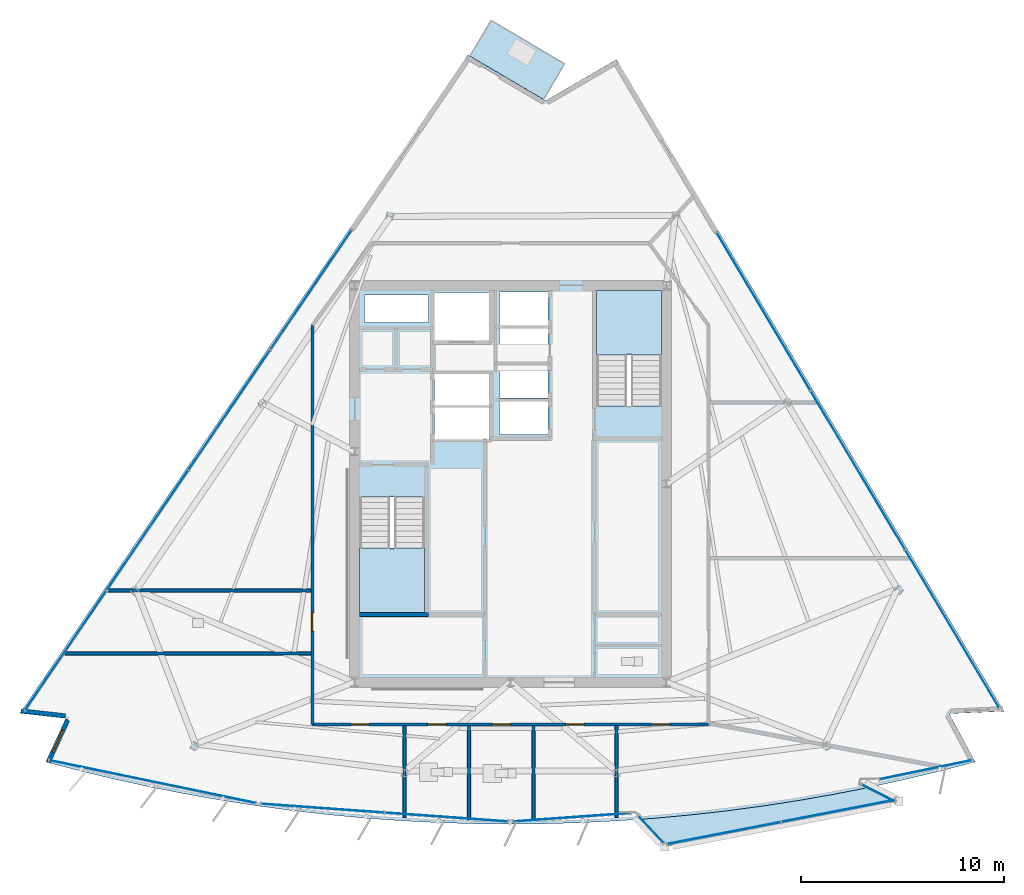
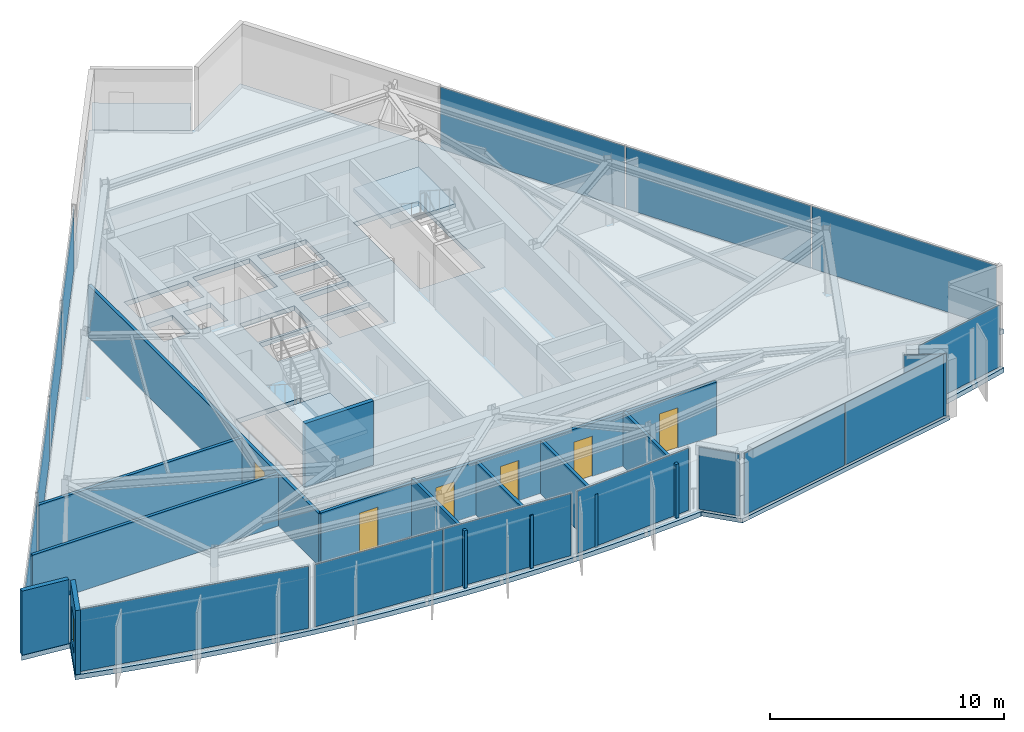
# One storey, part 6 of 13: 16 plates, 11 walls, 6 doors, 5 slabs, 1 window, 7 openings, 11 elements without a shape of their own.
"""IFC4 building model written with IfcOpenShell, lengths in metres."""

from ifc_helpers import new_model, si_unit, direction, frame, frame_2d, origin, origin_2d, place, context, subcontext, project, spatial, polyline, rectangle, outline, extrude, material, layer, layer_set, type_object, element, fill, aggregate, save


model = new_model("IFC4")

# Units and contexts
model_context = context("Model", 3, precision=1e-05, world=origin(), true_north=direction((0.0, 1.0)))
body_context = subcontext(model_context, "Body", "Model", "MODEL_VIEW")
ifc_project = project(units=[si_unit("LENGTHUNIT", "METRE"), si_unit("AREAUNIT", "SQUARE_METRE"), si_unit("VOLUMEUNIT", "CUBIC_METRE"), si_unit("PLANEANGLEUNIT", "RADIAN"), si_unit("MASSUNIT", "GRAM", prefix="KILO")], contexts=[model_context])

# Site, building, storey
site_placement = place(None, origin())
site = spatial("IfcSite", under=ifc_project, at=site_placement, CompositionType="ELEMENT")
building_placement = place(site_placement, origin())
building = spatial("IfcBuilding", under=site, at=building_placement, Name="Savorim Split Tower", CompositionType="ELEMENT")
storey_placement = place(building_placement, frame((0.0, 0.0, 265.199951171875)))
storey = spatial("IfcBuildingStorey", under=building, at=storey_placement, Name="L70", CompositionType="ELEMENT", Elevation=265.199951171875)

# Curtain wall, plate
ifc_material_1 = material(Name="Dark Ceramic-Fritted Insulated Glass", Category="glass")
curtain_wall_type_1 = type_object("IfcCurtainWallType", Name="CW-TWR-FRIT-B", PredefinedType="NOTDEFINED", material=ifc_material_1)
curtain_wall_1_placement = place(storey_placement, origin())
curtain_wall_1 = element("IfcCurtainWall", 1, at=curtain_wall_1_placement, inside=storey, type_object=curtain_wall_type_1, Name="L70 Curtain Wall CW-L70-SF1A", PredefinedType="NOTDEFINED")
ifc_layer_1 = layer(ifc_material_1, 0.02587890625)
ifc_layer_set_1 = layer_set([ifc_layer_1], Name="CWP-FRITB-26")
plate_type_1 = type_object("IfcPlateType", Name="CWP-FRITB-26", PredefinedType="CURTAIN_PANEL", material=ifc_layer_set_1)
plate_1_placement = place(storey_placement, frame((-17.679443359375, -14.303466796875, 0.050048828125), z_axis=(0.0, 0.0, 1.0), x_axis=(0.979135123364, -0.20321026105, 0.0)))
plate_1 = element("IfcPlate", 2, at=plate_1_placement, type_object=plate_type_1, Name="CW-03 panel 1.1", PredefinedType="CURTAIN_PANEL", context=body_context, shape_type="SweptSolid", body=[
    extrude(rectangle(XDim=10.390380859375, YDim=0.02587890625, at=origin_2d()), origin(), (0.0, 0.0, 1.0), 3.25),
])
aggregate(curtain_wall_1, [plate_1])

# Curtain wall, plates
curtain_wall_2_placement = place(storey_placement, origin())
curtain_wall_2 = element("IfcCurtainWall", 3, at=curtain_wall_2_placement, inside=storey, type_object=curtain_wall_type_1, Name="L70 Curtain Wall CW-L70-SF2A", PredefinedType="NOTDEFINED")
plate_2_placement = place(storey_placement, frame((-9.27197265625, -15.61767578125, 0.050048828125), z_axis=(0.0, 0.0, 1.0), x_axis=(0.997435978432, -0.071564439004, 0.0)))
plate_2 = element("IfcPlate", 4, at=plate_2_placement, type_object=plate_type_1, Name="CW-03 panel 1.1", PredefinedType="CURTAIN_PANEL", context=body_context, shape_type="SweptSolid", body=[
    extrude(rectangle(XDim=6.05615234375, YDim=0.02587890625, at=origin_2d()), origin(), (0.0, 0.0, 1.0), 3.25),
])
plate_3_placement = place(storey_placement, frame((-3.17138671875, -16.055419921875, 0.050048828125), z_axis=(0.0, 0.0, 1.0), x_axis=(0.997435978432, -0.071564439004, 0.0)))
plate_3 = element("IfcPlate", 5, at=plate_3_placement, type_object=plate_type_1, Name="CW-03 panel 2.1", PredefinedType="CURTAIN_PANEL", context=body_context, shape_type="SweptSolid", body=[
    extrude(rectangle(XDim=6.05615234375, YDim=0.02587890625, at=origin_2d()), origin(), (0.0, 0.0, 1.0), 3.25),
])
aggregate(curtain_wall_2, [plate_2, plate_3])

# Curtain wall, plate
curtain_wall_3_placement = place(storey_placement, origin())
curtain_wall_3 = element("IfcCurtainWall", 6, at=curtain_wall_3_placement, inside=storey, type_object=curtain_wall_type_1, Name="L70 Curtain Wall CW-L70-SF3A", PredefinedType="NOTDEFINED")
plate_4_placement = place(storey_placement, frame((3.019287109375, -16.06640625, 0.050048828125), z_axis=(0.0, 0.0, 1.0), x_axis=(0.997435475677, 0.071571445854, 0.0)))
plate_4 = element("IfcPlate", 7, at=plate_4_placement, type_object=plate_type_1, Name="CW-03 panel 1.1", PredefinedType="CURTAIN_PANEL", context=body_context, shape_type="SweptSolid", body=[
    extrude(rectangle(XDim=5.7509765625, YDim=0.02587890625, at=origin_2d()), origin(), (0.0, 0.0, 1.0), 3.25),
])
aggregate(curtain_wall_3, [plate_4])

curtain_wall_4_placement = place(storey_placement, origin())
curtain_wall_4 = element("IfcCurtainWall", 8, at=curtain_wall_4_placement, inside=storey, type_object=curtain_wall_type_1, Name="L70 Curtain Wall CW-L70-SF4A", PredefinedType="NOTDEFINED")
plate_5_placement = place(storey_placement, frame((20.5029296875, -13.717529296875, 0.050048828125), z_axis=(0.0, 0.0, 1.0), x_axis=(0.979135895435, 0.203206540915, 0.0)))
plate_5 = element("IfcPlate", 9, at=plate_5_placement, type_object=plate_type_1, Name="CW-03 panel 1.1", PredefinedType="CURTAIN_PANEL", context=body_context, shape_type="SweptSolid", body=[
    extrude(rectangle(XDim=4.623046875, YDim=0.02587890625, at=origin_2d()), origin(), (0.0, 0.0, 1.0), 3.25),
])
aggregate(curtain_wall_4, [plate_5])

# Curtain wall, plates
curtain_wall_5_placement = place(storey_placement, origin())
curtain_wall_5 = element("IfcCurtainWall", 10, at=curtain_wall_5_placement, inside=storey, type_object=curtain_wall_type_1, Name="L70 Curtain Wall CW-L70-EAST", PredefinedType="NOTDEFINED")
plate_6_placement = place(storey_placement, frame((21.8134765625, -6.76904296875, 0.050048828125), z_axis=(0.0, 0.0, 1.0), x_axis=(-0.511090267573, 0.859527043432, 0.0)))
plate_6 = element("IfcPlate", 11, at=plate_6_placement, type_object=plate_type_1, Name="CW-03 panel 1.1", PredefinedType="CURTAIN_PANEL", context=body_context, shape_type="SweptSolid", body=[
    extrude(rectangle(XDim=9.0380859375, YDim=0.02587890625, at=origin_2d()), origin(), (0.0, 0.0, 1.0), 3.25),
])
plate_7_placement = place(storey_placement, frame((17.15576171875, 1.064208984375, 0.050048828125), z_axis=(0.0, 0.0, 1.0), x_axis=(-0.511090267573, 0.859527043432, 0.0)))
plate_7 = element("IfcPlate", 12, at=plate_7_placement, type_object=plate_type_1, Name="CW-03 panel 2.1", PredefinedType="CURTAIN_PANEL", context=body_context, shape_type="SweptSolid", body=[
    extrude(rectangle(XDim=9.068115234375, YDim=0.02587890625, at=origin_2d()), origin(), (0.0, 0.0, 1.0), 3.25),
])
plate_8_placement = place(storey_placement, frame((12.498046875, 8.897216796875, 0.050048828125), z_axis=(0.0, 0.0, 1.0), x_axis=(-0.511090267573, 0.859527043432, 0.0)))
plate_8 = element("IfcPlate", 13, at=plate_8_placement, type_object=plate_type_1, Name="CW-03 panel 3.1", PredefinedType="CURTAIN_PANEL", context=body_context, shape_type="SweptSolid", body=[
    extrude(rectangle(XDim=9.0380859375, YDim=0.02587890625, at=origin_2d()), origin(), (0.0, 0.0, 1.0), 3.25),
])
aggregate(curtain_wall_5, [plate_6, plate_7, plate_8])

curtain_wall_6_placement = place(storey_placement, origin())
curtain_wall_6 = element("IfcCurtainWall", 14, at=curtain_wall_6_placement, inside=storey, type_object=curtain_wall_type_1, Name="L70 Curtain Wall CW-L70-WEST", PredefinedType="NOTDEFINED")
plate_9_placement = place(storey_placement, frame((-9.847900390625, 9.9853515625, 0.050048828125), z_axis=(0.0, 0.0, 1.0), x_axis=(-0.562470325215, -0.826817472755, 0.0)))
plate_9 = element("IfcPlate", 15, at=plate_9_placement, type_object=plate_type_1, Name="CW-03 panel 1.1", PredefinedType="CURTAIN_PANEL", context=body_context, shape_type="SweptSolid", body=[
    extrude(rectangle(XDim=7.1015625, YDim=0.02587890625, at=origin_2d()), origin(), (0.0, 0.0, 1.0), 3.25),
])
plate_10_placement = place(storey_placement, frame((-13.884521484375, 4.0517578125, 0.050048828125), z_axis=(0.0, 0.0, 1.0), x_axis=(-0.562470325215, -0.826817472755, 0.0)))
plate_10 = element("IfcPlate", 16, at=plate_10_placement, type_object=plate_type_1, Name="CW-03 panel 2.1", PredefinedType="CURTAIN_PANEL", context=body_context, shape_type="SweptSolid", body=[
    extrude(rectangle(XDim=7.131591796875, YDim=0.02587890625, at=origin_2d()), origin(), (0.0, 0.0, 1.0), 3.25),
])
plate_11_placement = place(storey_placement, frame((-17.929443359375, -1.894287109375, 0.050048828125), z_axis=(0.0, 0.0, 1.0), x_axis=(-0.562470325215, -0.826817472755, 0.0)))
plate_11 = element("IfcPlate", 17, at=plate_11_placement, type_object=plate_type_1, Name="CW-03 panel 3.1", PredefinedType="CURTAIN_PANEL", context=body_context, shape_type="SweptSolid", body=[
    extrude(rectangle(XDim=7.131591796875, YDim=0.02587890625, at=origin_2d()), origin(), (0.0, 0.0, 1.0), 3.25),
])
plate_12_placement = place(storey_placement, frame((-21.966064453125, -7.827880859375, 0.050048828125), z_axis=(0.0, 0.0, 1.0), x_axis=(-0.562470325215, -0.826817472755, 0.0)))
plate_12 = element("IfcPlate", 18, at=plate_12_placement, type_object=plate_type_1, Name="CW-03 panel 4.1", PredefinedType="CURTAIN_PANEL", context=body_context, shape_type="SweptSolid", body=[
    extrude(rectangle(XDim=7.1015625, YDim=0.02587890625, at=origin_2d()), origin(), (0.0, 0.0, 1.0), 3.25),
])
aggregate(curtain_wall_6, [plate_9, plate_10, plate_11, plate_12])

curtain_wall_type_2 = type_object("IfcCurtainWallType", Name="CW-BAY-LOUNGE", PredefinedType="NOTDEFINED", material=ifc_material_1)
curtain_wall_7_placement = place(storey_placement, origin())
curtain_wall_7 = element("IfcCurtainWall", 19, at=curtain_wall_7_placement, inside=storey, type_object=curtain_wall_type_2, Name="L70 Curtain Wall CW-L70-BAYF", PredefinedType="NOTDEFINED")
ifc_material_2 = material(Name="Low-E Operable Double Glazing", Category="glass")
ifc_layer_2 = layer(ifc_material_2, 0.031982421875)
ifc_layer_set_2 = layer_set([ifc_layer_2], Name="CWP-POD-32")
plate_type_2 = type_object("IfcPlateType", Name="CWP-POD-32", PredefinedType="CURTAIN_PANEL", material=ifc_layer_set_2)
plate_13_placement = place(storey_placement, frame((10.5537109375, -16.84375, 0.05517578125), z_axis=(0.0, 0.0, 1.0), x_axis=(0.98168331682, 0.190519987082, 0.0)))
plate_13 = element("IfcPlate", 20, at=plate_13_placement, type_object=plate_type_2, Name="CW-04 panel 1.1", PredefinedType="CURTAIN_PANEL", context=body_context, shape_type="SweptSolid", body=[
    extrude(rectangle(XDim=5.67041015625, YDim=0.031982421875, at=origin_2d()), origin(), (0.0, 0.0, 1.0), 3.239990234375),
])
plate_14_placement = place(storey_placement, frame((16.18408203125, -15.7509765625, 0.05517578125), z_axis=(0.0, 0.0, 1.0), x_axis=(0.98168331682, 0.190519987082, 0.0)))
plate_14 = element("IfcPlate", 21, at=plate_14_placement, type_object=plate_type_2, Name="CW-04 panel 2.1", PredefinedType="CURTAIN_PANEL", context=body_context, shape_type="SweptSolid", body=[
    extrude(rectangle(XDim=5.67041015625, YDim=0.031982421875, at=origin_2d()), origin(), (0.0, 0.0, 1.0), 3.239990234375),
])
aggregate(curtain_wall_7, [plate_13, plate_14])

# Curtain wall, plate
curtain_wall_8_placement = place(storey_placement, origin())
curtain_wall_8 = element("IfcCurtainWall", 22, at=curtain_wall_8_placement, inside=storey, type_object=curtain_wall_type_2, Name="L70 Curtain Wall CW-L70-BAYW", PredefinedType="NOTDEFINED")
plate_15_placement = place(storey_placement, frame((6.948974609375, -16.668212890625, 0.05517578125), z_axis=(0.0, 0.0, 1.0), x_axis=(0.6838502497, -0.729622392738, 0.0)))
plate_15 = element("IfcPlate", 23, at=plate_15_placement, type_object=plate_type_2, Name="CW-04 panel 1.1", PredefinedType="CURTAIN_PANEL", context=body_context, shape_type="SweptSolid", body=[
    extrude(rectangle(XDim=1.81005859375, YDim=0.031982421875, at=origin_2d()), origin(), (0.0, 0.0, 1.0), 3.239990234375),
])
aggregate(curtain_wall_8, [plate_15])

curtain_wall_9_placement = place(storey_placement, origin())
curtain_wall_9 = element("IfcCurtainWall", 24, at=curtain_wall_9_placement, inside=storey, type_object=curtain_wall_type_2, Name="L70 Curtain Wall CW-L70-BAYE", PredefinedType="NOTDEFINED")
plate_16_placement = place(storey_placement, frame((18.170166015625, -14.875, 0.05517578125), z_axis=(0.0, 0.0, 1.0), x_axis=(-0.890065809413, 0.455832046827, 0.0)))
plate_16 = element("IfcPlate", 25, at=plate_16_placement, type_object=plate_type_2, Name="CW-04 panel 1.1", PredefinedType="CURTAIN_PANEL", context=body_context, shape_type="SweptSolid", body=[
    extrude(rectangle(XDim=1.81005859375, YDim=0.031982421875, at=origin_2d()), origin(), (0.0, 0.0, 1.0), 3.239990234375),
])
aggregate(curtain_wall_9, [plate_16])

# Slabs
ifc_material_3 = material(Name="Concrete C50/60", Category="concrete")
ifc_layer_3 = layer(ifc_material_3, 0.219970703125)
ifc_layer_set_3 = layer_set([ifc_layer_3], Name="SLB-BAL-220")
slab_type_1 = type_object("IfcSlabType", Name="SLB-BAL-220", PredefinedType="FLOOR", material=ifc_layer_set_3)
slab_1_placement = place(storey_placement, frame((0.0, 0.0, -0.219970703125)))
element("IfcSlab", 26, at=slab_1_placement, inside=storey, type_object=slab_type_1, Name="L70 Cantilevered Shared Kitchen Lounge Slab", PredefinedType="FLOOR", context=body_context, shape_type="SweptSolid", body=[
    extrude(outline(polyline([(17.79345703125, -14.569580078125), (17.7373046875, -14.58203125), (15.984619140625, -14.927001953125), (14.2255859375, -15.236083984375), (12.46044921875, -15.50927734375), (10.690185546875, -15.74609375), (8.915283203125, -15.94677734375), (7.13671875, -16.111083984375), (6.343017578125, -16.16796875), (7.60791015625, -17.517333984375), (19.16796875, -15.273681640625), (17.79345703125, -14.569580078125)])), origin(), (0.0, 0.0, 1.0), 0.219970703125),
])
slab_2_placement = place(storey_placement, frame((0.0, 0.0, -0.219970703125)))
element("IfcSlab", 27, at=slab_2_placement, inside=storey, type_object=slab_type_1, Name="L70 Notched Corner Planted Tree Balcony Slab", PredefinedType="FLOOR", context=body_context, shape_type="SweptSolid", body=[
    extrude(outline(polyline([(-2.001708984375, 21.5205078125), (1.63623046875, 19.38232421875), (2.67236328125, 21.1455078125), (-0.96533203125, 23.283447265625), (-2.001708984375, 21.5205078125)])), origin(), (0.0, 0.0, 1.0), 0.219970703125),
])

# Stair, slab
stair_type = type_object("IfcStairType", Name="STR-DOG-3600", PredefinedType="HALF_TURN_STAIR", material=ifc_material_3)
stair_1_placement = place(storey_placement, origin())
stair_1 = element("IfcStair", 28, at=stair_1_placement, inside=storey, type_object=stair_type, Name="L70 Core Protected Exit Stair ST-1", PredefinedType="HALF_TURN_STAIR")
ifc_layer_4 = layer(ifc_material_3, 0.199951171875)
ifc_layer_set_4 = layer_set([ifc_layer_4], Name="SLB-LND-200")
slab_type_2 = type_object("IfcSlabType", Name="SLB-LND-200", PredefinedType="LANDING", material=ifc_layer_set_4)
slab_3_placement = place(storey_placement, frame((0.0, 0.0, 1.60009765625)))
slab_3 = element("IfcSlab", 29, at=slab_3_placement, type_object=slab_type_2, Name="ST-1 landing 1", PredefinedType="LANDING", context=body_context, shape_type="SweptSolid", body=[
    extrude(outline(polyline([(-7.449951171875, -2.77001953125), (-7.449951171875, -5.949951171875), (-4.25, -5.949951171875), (-4.25, -2.77001953125), (-7.449951171875, -2.77001953125)])), origin(), (0.0, 0.0, 1.0), 0.199951171875),
])
aggregate(stair_1, [slab_3])

stair_2_placement = place(storey_placement, origin())
stair_2 = element("IfcStair", 30, at=stair_2_placement, inside=storey, type_object=stair_type, Name="L70 Core Protected Exit Stair ST-2", PredefinedType="HALF_TURN_STAIR")
slab_4_placement = place(storey_placement, frame((0.0, 0.0, 1.60009765625)))
slab_4 = element("IfcSlab", 31, at=slab_4_placement, type_object=slab_type_2, Name="ST-2 landing 1", PredefinedType="LANDING", context=body_context, shape_type="SweptSolid", body=[
    extrude(outline(polyline([(7.449951171875, 6.77001953125), (7.449951171875, 9.949951171875), (4.25, 9.949951171875), (4.25, 6.77001953125), (7.449951171875, 6.77001953125)])), origin(), (0.0, 0.0, 1.0), 0.199951171875),
])
aggregate(stair_2, [slab_4])

# Slab
ifc_layer_5 = layer(ifc_material_3, 0.25)
ifc_layer_set_5 = layer_set([ifc_layer_5], Name="SLB-TWR-250")
slab_type_3 = type_object("IfcSlabType", Name="SLB-TWR-250", PredefinedType="FLOOR", material=ifc_layer_set_5)
slab_5_placement = place(storey_placement, frame((0.0, 0.0, -0.25)))
element("IfcSlab", 32, at=slab_5_placement, inside=storey, type_object=slab_type_3, Name="L70 Structural Floor Slab", PredefinedType="FLOOR", context=body_context, shape_type="SweptSolid", body=[
    extrude(outline(polyline([(-22.947265625, -13.332763671875), (-21.21923828125, -13.78466796875), (-19.482421875, -14.201171875), (-17.7373046875, -14.58203125), (-15.984619140625, -14.927001953125), (-14.2255859375, -15.236083984375), (-12.46044921875, -15.50927734375), (-10.690185546875, -15.74609375), (-8.915283203125, -15.94677734375), (-7.13671875, -16.111083984375), (-5.35498046875, -16.23876953125), (-3.5712890625, -16.330078125), (-1.785888671875, -16.385009765625), (0.0, -16.4033203125), (1.785888671875, -16.385009765625), (3.5712890625, -16.330078125), (5.35498046875, -16.23876953125), (7.13671875, -16.111083984375), (8.915283203125, -15.94677734375), (10.690185546875, -15.74609375), (12.46044921875, -15.50927734375), (14.2255859375, -15.236083984375), (15.984619140625, -14.927001953125), (17.7373046875, -14.58203125), (19.482421875, -14.201171875), (21.21923828125, -13.78466796875), (22.947265625, -13.332763671875), (21.667236328125, -10.947509765625), (24.369384765625, -10.83251953125), (5.23095703125, 21.353515625), (1.7373046875, 19.317138671875), (-2.107666015625, 21.576904296875), (-24.219970703125, -10.927734375), (-21.958251953125, -11.180419921875), (-22.947265625, -13.332763671875)]), holes=[polyline([(-7.449951171875, -0.25390625), (-7.449951171875, -5.949951171875), (-4.25, -5.949951171875), (-4.25, -0.25390625), (-7.449951171875, -0.25390625)]), polyline([(7.449951171875, 4.25390625), (7.449951171875, 9.949951171875), (4.25, 9.949951171875), (4.25, 4.25390625), (7.449951171875, 4.25390625)]), polyline([(-0.550048828125, 2.830078125), (1.85009765625, 2.830078125), (1.85009765625, 4.469970703125), (-0.550048828125, 4.469970703125), (-0.550048828125, 2.830078125)]), polyline([(-0.550048828125, 4.6298828125), (1.85009765625, 4.6298828125), (1.85009765625, 6.27001953125), (-0.550048828125, 6.27001953125), (-0.550048828125, 4.6298828125)]), polyline([(-0.550048828125, 6.429931640625), (1.85009765625, 6.429931640625), (1.85009765625, 8.070068359375), (-0.550048828125, 8.070068359375), (-0.550048828125, 6.429931640625)]), polyline([(-0.550048828125, 8.22998046875), (1.85009765625, 8.22998046875), (1.85009765625, 9.8701171875), (-0.550048828125, 9.8701171875), (-0.550048828125, 8.22998046875)]), polyline([(-3.75, 2.60009765625), (-1.050048828125, 2.60009765625), (-1.050048828125, 4.159912109375), (-3.75, 4.159912109375), (-3.75, 2.60009765625)]), polyline([(-3.75, 4.280029296875), (-1.050048828125, 4.280029296875), (-1.050048828125, 5.840087890625), (-3.75, 5.840087890625), (-3.75, 4.280029296875)]), polyline([(-3.75, 7.449951171875), (-0.949951171875, 7.449951171875), (-0.949951171875, 9.85009765625), (-3.75, 9.85009765625), (-3.75, 7.449951171875)]), polyline([(-7.219970703125, 6.320068359375), (-5.919921875, 6.320068359375), (-5.919921875, 7.820068359375), (-7.219970703125, 7.820068359375), (-7.219970703125, 6.320068359375)]), polyline([(-5.3798828125, 6.320068359375), (-4.050048828125, 6.320068359375), (-4.050048828125, 7.820068359375), (-5.3798828125, 7.820068359375), (-5.3798828125, 6.320068359375)]), polyline([(-7.219970703125, 8.360107421875), (-4.050048828125, 8.360107421875), (-4.050048828125, 9.719970703125), (-7.219970703125, 9.719970703125), (-7.219970703125, 8.360107421875)])]), origin(), (0.0, 0.0, 1.0), 0.25),
])

# Wall
ifc_material_4 = material(Name="Precast concrete C40/50", Category="concrete")
ifc_layer_6 = layer(ifc_material_4, 0.219970703125)
ifc_layer_set_6 = layer_set([ifc_layer_6], Name="WAL-EXT-CRN220")
wall_type_1 = type_object("IfcWallType", Name="WAL-EXT-CRN220", PredefinedType="SOLIDWALL", material=ifc_layer_set_6)
wall_1_placement = place(storey_placement, frame((-21.984619140625, -11.056640625, 0.0), z_axis=(0.0, 0.0, 1.0), x_axis=(-0.993823926228, 0.110968480463, 0.0)))
element("IfcWall", 33, at=wall_1_placement, inside=storey, type_object=wall_type_1, Name="L70 Notched Corner Facade Wall SW1", PredefinedType="SOLIDWALL", context=body_context, shape_type="SweptSolid", body=[
    extrude(rectangle(XDim=2.19580078125, YDim=0.219970703125, at=frame_2d((1.097900390625, 0.0))), origin(), (0.0, 0.0, 1.0), 3.35009765625),
])

# Wall, opening, window
wall_2_placement = place(storey_placement, frame((-22.821533203125, -13.3466796875, 0.0), z_axis=(0.0, 0.0, 1.0), x_axis=(0.417447808253, 0.908700900949, 0.0)))
wall_2 = element("IfcWall", 34, at=wall_2_placement, inside=storey, type_object=wall_type_1, Name="L70 Notched Corner Facade Wall SW", PredefinedType="SOLIDWALL", context=body_context, shape_type="SweptSolid", body=[
    extrude(rectangle(XDim=2.2890625, YDim=0.219970703125, at=frame_2d((1.14453125, 0.0))), origin(), (0.0, 0.0, 1.0), 3.35009765625),
])
opening_1_placement = place(wall_2_placement, frame((0.54443359375, 0.0, 0.6201171875)))
opening_1 = element("IfcOpeningElement", 35, at=opening_1_placement, cuts=wall_2, Name="Opening WN-08", PredefinedType="OPENING", context=body_context, shape_type="SweptSolid", body=[
    extrude(rectangle(XDim=1.199951171875, YDim=1.800048828125, at=frame_2d((0.60009765625, 0.89990234375))), frame((0.0, 0.119873046875, 0.0), z_axis=(0.0, -1.0, 0.0), x_axis=(1.0, 0.0, 0.0)), (0.0, 0.0, 1.0), 0.239990234375),
])
window_type = type_object("IfcWindowType", Name="WIN-TWR-1200x1800", PartitioningType="SINGLE_PANEL", PredefinedType="WINDOW", material=ifc_material_2)
window_placement = place(opening_1_placement, origin())
window = element("IfcWindow", 36, at=window_placement, inside=storey, type_object=window_type, Name="L70 Operable Corner Window SW", OverallHeight=1.800048828125, OverallWidth=1.199951171875, PartitioningType="SINGLE_PANEL", PredefinedType="WINDOW", context=body_context, shape_type="SweptSolid", body=[
    extrude(rectangle(XDim=1.199951171875, YDim=1.800048828125, at=frame_2d((0.60009765625, 0.89990234375))), frame((0.0, 0.030029296875, 0.0), z_axis=(0.0, -1.0, 0.0), x_axis=(1.0, 0.0, 0.0)), (0.0, 0.0, 1.0), 0.06005859375),
])
fill(opening_1, window)

# Wall
ifc_layer_7 = layer(ifc_material_3, 0.199951171875)
ifc_layer_set_7 = layer_set([ifc_layer_7], Name="WAL-INT-RC200")
wall_type_2 = type_object("IfcWallType", Name="WAL-INT-RC200", PredefinedType="SOLIDWALL", material=ifc_layer_set_7)
wall_3_placement = place(storey_placement, frame((-7.449951171875, -6.050048828125, 0.0), z_axis=(0.0, 0.0, 1.0), x_axis=(1.0, 0.0, 0.0)))
element("IfcWall", 37, at=wall_3_placement, inside=storey, type_object=wall_type_2, Name="L70 Structural Shaft Wall W-L70-KSEP-W", PredefinedType="SOLIDWALL", context=body_context, shape_type="SweptSolid", body=[
    extrude(rectangle(XDim=3.39990234375, YDim=0.199951171875, at=frame_2d((1.699951171875, 0.0))), origin(), (0.0, 0.0, 1.0), 3.35009765625),
])

# Wall, opening, door
ifc_material_5 = material(Name="Acoustic Gypsum Partition Board")
ifc_layer_8 = layer(ifc_material_5, 0.14990234375)
ifc_layer_set_8 = layer_set([ifc_layer_8], Name="WAL-PAR-150")
wall_type_3 = type_object("IfcWallType", Name="WAL-PAR-150", PredefinedType="PARTITIONING", material=ifc_layer_set_8)
wall_4_placement = place(storey_placement, frame((-9.780029296875, -11.47998046875, 0.0), z_axis=(0.0, 0.0, 1.0), x_axis=(0.0, 1.0, 0.0)))
wall_4 = element("IfcWall", 38, at=wall_4_placement, inside=storey, type_object=wall_type_3, Name="L70 Partition W-L70-COR-01", PredefinedType="PARTITIONING", context=body_context, shape_type="SweptSolid", body=[
    extrude(rectangle(XDim=19.705810546875, YDim=0.14990234375, at=frame_2d((9.85302734375, 0.0))), origin(), (0.0, 0.0, 1.0), 2.72509765625),
])
opening_2_placement = place(wall_4_placement, frame((4.607421875, 0.0, 0.0)))
opening_2 = element("IfcOpeningElement", 39, at=opening_2_placement, cuts=wall_4, Name="Opening DI-06", PredefinedType="OPENING", context=body_context, shape_type="SweptSolid", body=[
    extrude(rectangle(XDim=0.89990234375, YDim=2.10009765625, at=frame_2d((0.449951171875, 1.050048828125))), frame((0.0, 0.0849609375, 0.0), z_axis=(0.0, -1.0, 0.0), x_axis=(1.0, 0.0, 0.0)), (0.0, 0.0, 1.0), 0.169921875),
])
ifc_material_6 = material(Name="Timber Fire Door Leaf", Category="wood")
door_type_1 = type_object("IfcDoorType", Name="DOR-FIR-900", OperationType="NOTDEFINED", PredefinedType="DOOR", material=ifc_material_6)
door_1_placement = place(opening_2_placement, origin())
door_1 = element("IfcDoor", 40, at=door_1_placement, inside=storey, type_object=door_type_1, Name="DR-L70-RM01 - L70 Shared Kitchen Entry Door", OperationType="SINGLE_SWING_RIGHT", OverallHeight=2.10009765625, OverallWidth=0.89990234375, PredefinedType="DOOR", context=body_context, shape_type="SweptSolid", body=[
    extrude(rectangle(XDim=0.89990234375, YDim=2.10009765625, at=frame_2d((0.449951171875, 1.050048828125))), frame((0.0, 0.02490234375, 0.0), z_axis=(0.0, -1.0, 0.0), x_axis=(1.0, 0.0, 0.0)), (0.0, 0.0, 1.0), 0.050048828125),
])
fill(opening_2, door_1)

# Wall, openings, doors
wall_5_placement = place(storey_placement, frame((9.780029296875, -11.47998046875, 0.0), z_axis=(0.0, 0.0, 1.0), x_axis=(-1.0, 0.0, 0.0)))
wall_5 = element("IfcWall", 41, at=wall_5_placement, inside=storey, type_object=wall_type_3, Name="L70 Partition W-L70-COR-06", PredefinedType="PARTITIONING", context=body_context, shape_type="SweptSolid", body=[
    extrude(rectangle(XDim=19.56005859375, YDim=0.14990234375, at=frame_2d((9.780029296875, 0.0))), origin(), (0.0, 0.0, 1.0), 2.775146484375),
])
opening_3_placement = place(wall_5_placement, frame((16.744140625, 0.0, 0.0)))
opening_3 = element("IfcOpeningElement", 42, at=opening_3_placement, cuts=wall_5, Name="Opening DI-06", PredefinedType="OPENING", context=body_context, shape_type="SweptSolid", body=[
    extrude(rectangle(XDim=0.89990234375, YDim=2.10009765625, at=frame_2d((0.449951171875, 1.050048828125))), frame((0.0, 0.0849609375, 0.0), z_axis=(0.0, -1.0, 0.0), x_axis=(1.0, 0.0, 0.0)), (0.0, 0.0, 1.0), 0.169921875),
])
opening_4_placement = place(wall_5_placement, frame((12.964111328125, 0.0, 0.0)))
opening_4 = element("IfcOpeningElement", 43, at=opening_4_placement, cuts=wall_5, Name="Opening DI-11", PredefinedType="OPENING", context=body_context, shape_type="SweptSolid", body=[
    extrude(rectangle(XDim=0.89990234375, YDim=2.10009765625, at=frame_2d((0.449951171875, 1.050048828125))), frame((0.0, 0.0849609375, 0.0), z_axis=(0.0, -1.0, 0.0), x_axis=(1.0, 0.0, 0.0)), (0.0, 0.0, 1.0), 0.169921875),
])
opening_5_placement = place(wall_5_placement, frame((9.77978515625, 0.0, 0.0)))
opening_5 = element("IfcOpeningElement", 44, at=opening_5_placement, cuts=wall_5, Name="Opening DI-11", PredefinedType="OPENING", context=body_context, shape_type="SweptSolid", body=[
    extrude(rectangle(XDim=0.89990234375, YDim=2.10009765625, at=frame_2d((0.449951171875, 1.050048828125))), frame((0.0, 0.0849609375, 0.0), z_axis=(0.0, -1.0, 0.0), x_axis=(1.0, 0.0, 0.0)), (0.0, 0.0, 1.0), 0.169921875),
])
opening_6_placement = place(wall_5_placement, frame((6.1455078125, 0.0, 0.0)))
opening_6 = element("IfcOpeningElement", 45, at=opening_6_placement, cuts=wall_5, Name="Opening DI-06", PredefinedType="OPENING", context=body_context, shape_type="SweptSolid", body=[
    extrude(rectangle(XDim=0.89990234375, YDim=2.10009765625, at=frame_2d((0.449951171875, 1.050048828125))), frame((0.0, 0.0849609375, 0.0), z_axis=(0.0, -1.0, 0.0), x_axis=(1.0, 0.0, 0.0)), (0.0, 0.0, 1.0), 0.169921875),
])
opening_7_placement = place(wall_5_placement, frame((1.916015625, 0.0, 0.0)))
opening_7 = element("IfcOpeningElement", 46, at=opening_7_placement, cuts=wall_5, Name="Opening DI-06", PredefinedType="OPENING", context=body_context, shape_type="SweptSolid", body=[
    extrude(rectangle(XDim=0.89990234375, YDim=2.10009765625, at=frame_2d((0.449951171875, 1.050048828125))), frame((0.0, 0.0849609375, 0.0), z_axis=(0.0, -1.0, 0.0), x_axis=(1.0, 0.0, 0.0)), (0.0, 0.0, 1.0), 0.169921875),
])
door_2_placement = place(opening_3_placement, origin())
door_2 = element("IfcDoor", 47, at=door_2_placement, inside=storey, type_object=door_type_1, Name="DR-L70-RM02 - L70 Co-Working Commons Entry Door", OperationType="SINGLE_SWING_LEFT", OverallHeight=2.10009765625, OverallWidth=0.89990234375, PredefinedType="DOOR", context=body_context, shape_type="SweptSolid", body=[
    extrude(rectangle(XDim=0.89990234375, YDim=2.10009765625, at=frame_2d((0.449951171875, 1.050048828125))), frame((0.0, 0.02490234375, 0.0), z_axis=(0.0, -1.0, 0.0), x_axis=(1.0, 0.0, 0.0)), (0.0, 0.0, 1.0), 0.050048828125),
])
fill(opening_3, door_2)
door_3_placement = place(opening_6_placement, origin())
door_3 = element("IfcDoor", 48, at=door_3_placement, inside=storey, type_object=door_type_1, Name="DR-L70-RM05 - L70 Co-Living Bedroom Entry Door", OperationType="SINGLE_SWING_RIGHT", OverallHeight=2.10009765625, OverallWidth=0.89990234375, PredefinedType="DOOR", context=body_context, shape_type="SweptSolid", body=[
    extrude(rectangle(XDim=0.89990234375, YDim=2.10009765625, at=frame_2d((0.449951171875, 1.050048828125))), frame((0.0, 0.02490234375, 0.0), z_axis=(0.0, -1.0, 0.0), x_axis=(1.0, 0.0, 0.0)), (0.0, 0.0, 1.0), 0.050048828125),
])
fill(opening_6, door_3)
door_4_placement = place(opening_7_placement, origin())
door_4 = element("IfcDoor", 49, at=door_4_placement, inside=storey, type_object=door_type_1, Name="DR-L70-RM06 - L70 Communal Lounge Entry Door", OperationType="SINGLE_SWING_LEFT", OverallHeight=2.10009765625, OverallWidth=0.89990234375, PredefinedType="DOOR", context=body_context, shape_type="SweptSolid", body=[
    extrude(rectangle(XDim=0.89990234375, YDim=2.10009765625, at=frame_2d((0.449951171875, 1.050048828125))), frame((0.0, 0.02490234375, 0.0), z_axis=(0.0, -1.0, 0.0), x_axis=(1.0, 0.0, 0.0)), (0.0, 0.0, 1.0), 0.050048828125),
])
fill(opening_7, door_4)
ifc_material_7 = material(Name="Oak Veneer Acoustic Door")
door_type_2 = type_object("IfcDoorType", Name="DOR-WC-900", OperationType="NOTDEFINED", PredefinedType="DOOR", material=ifc_material_7)
door_5_placement = place(opening_4_placement, origin())
door_5 = element("IfcDoor", 50, at=door_5_placement, inside=storey, type_object=door_type_2, Name="DR-L70-RM03 - L70 Shared Bathroom Entry Door", OperationType="SINGLE_SWING_RIGHT", OverallHeight=2.10009765625, OverallWidth=0.89990234375, PredefinedType="DOOR", context=body_context, shape_type="SweptSolid", body=[
    extrude(rectangle(XDim=0.89990234375, YDim=2.10009765625, at=frame_2d((0.449951171875, 1.050048828125))), frame((0.0, 0.02490234375, 0.0), z_axis=(0.0, -1.0, 0.0), x_axis=(1.0, 0.0, 0.0)), (0.0, 0.0, 1.0), 0.050048828125),
])
fill(opening_4, door_5)
door_6_placement = place(opening_5_placement, origin())
door_6 = element("IfcDoor", 51, at=door_6_placement, inside=storey, type_object=door_type_2, Name="DR-L70-RM04 - L70 Shared Bathroom Entry Door", OperationType="SINGLE_SWING_LEFT", OverallHeight=2.10009765625, OverallWidth=0.89990234375, PredefinedType="DOOR", context=body_context, shape_type="SweptSolid", body=[
    extrude(rectangle(XDim=0.89990234375, YDim=2.10009765625, at=frame_2d((0.449951171875, 1.050048828125))), frame((0.0, 0.02490234375, 0.0), z_axis=(0.0, -1.0, 0.0), x_axis=(1.0, 0.0, 0.0)), (0.0, 0.0, 1.0), 0.050048828125),
])
fill(opening_5, door_6)

# Walls
wall_6_placement = place(storey_placement, frame((-5.2265625, -11.5400390625, 0.0), z_axis=(0.0, 0.0, 1.0), x_axis=(0.0, -1.0, 0.0)))
element("IfcWall", 52, at=wall_6_placement, inside=storey, type_object=wall_type_3, Name="L70 Partition W-L70-PRAD02", PredefinedType="PARTITIONING", context=body_context, shape_type="SweptSolid", body=[
    extrude(rectangle(XDim=4.53515625, YDim=0.14990234375, at=frame_2d((2.267578125, 0.0))), origin(), (0.0, 0.0, 1.0), 3.01513671875),
])
wall_7_placement = place(storey_placement, frame((5.2265625, -11.5400390625, 0.0), z_axis=(0.0, 0.0, 1.0), x_axis=(0.0, -1.0, 0.0)))
element("IfcWall", 53, at=wall_7_placement, inside=storey, type_object=wall_type_3, Name="L70 Partition W-L70-PRAD03", PredefinedType="PARTITIONING", context=body_context, shape_type="SweptSolid", body=[
    extrude(rectangle(XDim=4.53515625, YDim=0.14990234375, at=frame_2d((2.267578125, 0.0))), origin(), (0.0, 0.0, 1.0), 2.824951171875),
])
wall_8_placement = place(storey_placement, frame((-9.840087890625, -4.873046875, 0.0), z_axis=(0.0, 0.0, 1.0), x_axis=(-1.0, 0.0, 0.0)))
element("IfcWall", 54, at=wall_8_placement, inside=storey, type_object=wall_type_3, Name="L70 Partition W-L70-PRAD10", PredefinedType="PARTITIONING", context=body_context, shape_type="SweptSolid", body=[
    extrude(rectangle(XDim=10.055419921875, YDim=0.14990234375, at=frame_2d((5.02783203125, 0.0))), origin(), (0.0, 0.0, 1.0), 2.72509765625),
])
wall_9_placement = place(storey_placement, frame((1.142578125, -11.5400390625, 0.0), z_axis=(0.0, 0.0, 1.0), x_axis=(0.0, -1.0, 0.0)))
element("IfcWall", 55, at=wall_9_placement, inside=storey, type_object=wall_type_3, Name="L70 Partition W-L70-SUB01", PredefinedType="PARTITIONING", context=body_context, shape_type="SweptSolid", body=[
    extrude(rectangle(XDim=4.681396484375, YDim=0.14990234375, at=frame_2d((2.3408203125, 0.0))), origin(), (0.0, 0.0, 1.0), 2.775146484375),
])
wall_10_placement = place(storey_placement, frame((-9.840087890625, -7.972412109375, 0.0), z_axis=(0.0, 0.0, 1.0), x_axis=(-1.0, 0.0, 0.0)))
element("IfcWall", 56, at=wall_10_placement, inside=storey, type_object=wall_type_3, Name="L70 Partition W-L70-SUB02", PredefinedType="PARTITIONING", context=body_context, shape_type="SweptSolid", body=[
    extrude(rectangle(XDim=12.163818359375, YDim=0.14990234375, at=frame_2d((6.08203125, 0.0))), origin(), (0.0, 0.0, 1.0), 2.72509765625),
])
wall_11_placement = place(storey_placement, frame((-2.0419921875, -11.5400390625, 0.0), z_axis=(0.0, 0.0, 1.0), x_axis=(0.0, -1.0, 0.0)))
element("IfcWall", 57, at=wall_11_placement, inside=storey, type_object=wall_type_3, Name="L70 Partition W-L70-SUB04", PredefinedType="PARTITIONING", context=body_context, shape_type="SweptSolid", body=[
    extrude(rectangle(XDim=4.6669921875, YDim=0.14990234375, at=frame_2d((2.33349609375, 0.0))), origin(), (0.0, 0.0, 1.0), 2.775146484375),
])

save(model, "model.ifc")
